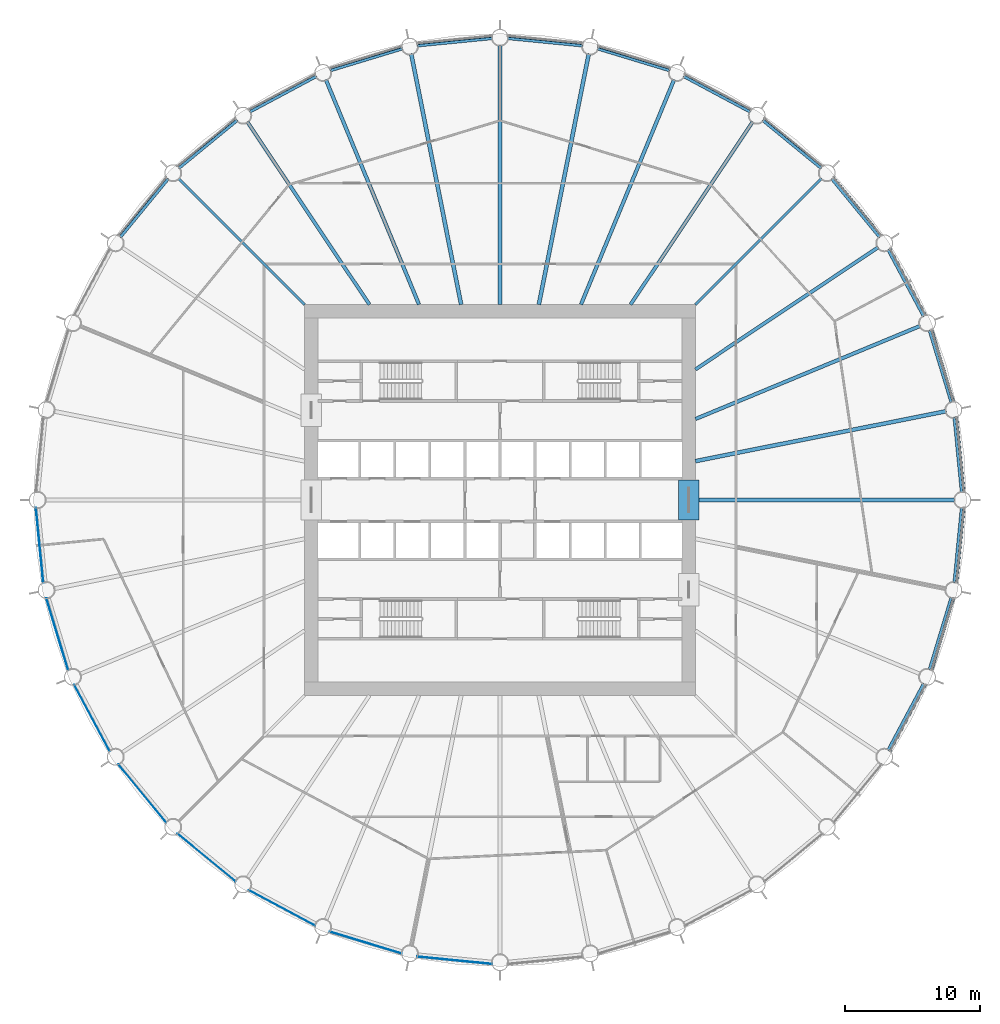
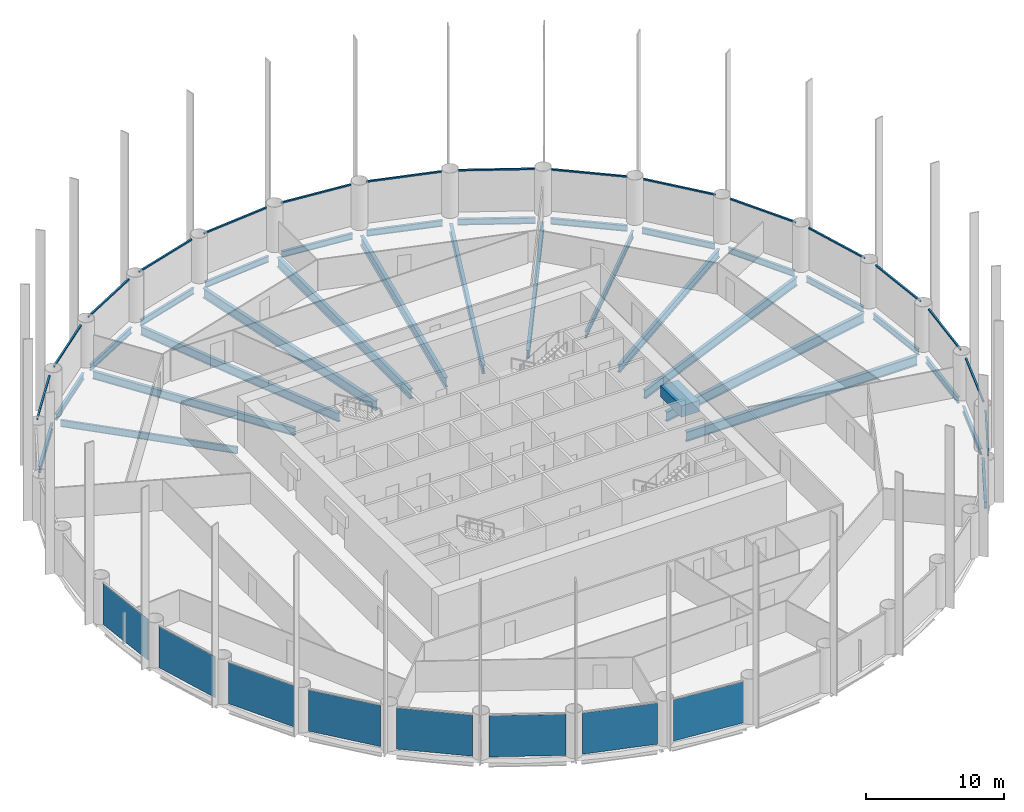
# One storey, part 2 of 10: 30 beams, 16 members, 8 plates, 24 elements without a shape of their own.
"""IFC4 building model written with IfcOpenShell, lengths in metres."""

from ifc_helpers import new_model, si_unit, direction, frame, origin, origin_2d, place, context, subcontext, project, spatial, rectangle, i_section, extrude, material, layer, layer_set, material_profile, profile_set, type_object, element, aggregate, save


model = new_model("IFC4")

# Units and contexts
model_context = context("Model", 3, precision=1e-05, world=origin(), true_north=direction((0.0, 1.0)))
body_context = subcontext(model_context, "Body", "Model", "MODEL_VIEW")
ifc_project = project(units=[si_unit("LENGTHUNIT", "METRE"), si_unit("AREAUNIT", "SQUARE_METRE"), si_unit("VOLUMEUNIT", "CUBIC_METRE"), si_unit("PLANEANGLEUNIT", "RADIAN"), si_unit("MASSUNIT", "GRAM", prefix="KILO")], contexts=[model_context])

# Site, building, storey
site_placement = place(None, origin())
site = spatial("IfcSite", under=ifc_project, at=site_placement, CompositionType="ELEMENT")
building_placement = place(site_placement, origin())
building = spatial("IfcBuilding", under=site, at=building_placement, Name="Corvane Civic Tower", CompositionType="ELEMENT")
storey_placement = place(building_placement, frame((0.0, 0.0, 90.5)))
storey = spatial("IfcBuildingStorey", under=building, at=storey_placement, Name="L20", CompositionType="ELEMENT", Elevation=90.5)

# Beams
ifc_material_1 = material(Name="Concrete C70/85", Category="concrete")
ifc_material_profile_1 = material_profile(ifc_material_1, rectangle(XDim=1.5, YDim=1.0, at=origin_2d()), Name="COUPLING BEAM 1500X1000")
ifc_profile_set_1 = profile_set([ifc_material_profile_1], Name="Concrete C70/85")
beam_type_1 = type_object("IfcBeamType", Name="COUPLING BEAM COUPLING BEAM 1500X1000", PredefinedType="BEAM", material=ifc_profile_set_1)
beam_1_placement = place(storey_placement, frame((14.0, -1.5, 2.60009765625), z_axis=(0.0, 1.0, 0.0), x_axis=(-1.0, 0.0, 0.0)))
element("IfcBeam", 1, at=beam_1_placement, inside=storey, type_object=beam_type_1, Name="BM-L20-cpl-CW-LE", PredefinedType="BEAM", context=body_context, shape_type="SweptSolid", body=[
    extrude(rectangle(XDim=1.5, YDim=1.0, at=origin_2d()), origin(), (0.0, 0.0, 1.0), 3.0),
])
ifc_material_2 = material(Name="Steel ASTM A992 Gr 50", Category="steel")
ifc_material_profile_2 = material_profile(ifc_material_2, i_section(OverallWidth=0.209228515625, OverallDepth=0.533447265625, WebThickness=0.01025390625, FlangeThickness=0.015625, at=origin_2d()), Name="W21X62")
ifc_profile_set_2 = profile_set([ifc_material_profile_2], Name="Steel ASTM A992 Gr 50")
beam_type_2 = type_object("IfcBeamType", Name="EDGE BEAM W21X62", PredefinedType="BEAM", material=ifc_profile_set_2)
beam_2_placement = place(storey_placement, frame((0.54736328125, 34.24609375, -0.716796875), z_axis=(0.995184368522, -0.098020776625, 0.0), x_axis=(0.098020776625, 0.995184368522, 0.0)))
element("IfcBeam", 2, at=beam_2_placement, inside=storey, type_object=beam_type_2, Name="BM-L20-E01", PredefinedType="BEAM", context=body_context, shape_type="SweptSolid", body=[
    extrude(i_section(OverallWidth=0.209228515625, OverallDepth=0.533447265625, WebThickness=0.01025390625, FlangeThickness=0.015625, at=origin_2d()), origin(), (0.0, 0.0, 1.0), 5.6240234375),
])
beam_3_placement = place(storey_placement, frame((7.218017578125, 33.481201171875, -0.716796875), z_axis=(0.956936367498, -0.290297758448, 0.0), x_axis=(0.290297758448, 0.956936367498, 0.0)))
element("IfcBeam", 3, at=beam_3_placement, inside=storey, type_object=beam_type_2, Name="BM-L20-E02", PredefinedType="BEAM", context=body_context, shape_type="SweptSolid", body=[
    extrude(i_section(OverallWidth=0.209228515625, OverallDepth=0.533447265625, WebThickness=0.01025390625, FlangeThickness=0.015625, at=origin_2d()), origin(), (0.0, 0.0, 1.0), 5.623779296875),
])
for number, where, z_axis, x_axis, name in (
    (4, (13.611083984375, 31.4296875, -0.716796875), (0.88192357867, -0.471392407008, 0.0), (0.471392407008, 0.88192357867, 0.0), "BM-L20-E03"),
    (5, (19.481201171875, 28.17041015625, -0.716796875), (0.773006775372, -0.634397765782, 0.0), (0.634397765782, 0.773006775372, 0.0), "BM-L20-E04"),
    (6, (24.6025390625, 23.82861328125, -0.716796875), (0.634397765782, -0.773006775372, 0.0), (0.773006775372, 0.634397765782, 0.0), "BM-L20-E05"),
    (7, (28.778564453125, 18.571044921875, -0.716796875), (0.471392407008, -0.88192357867, 0.0), (0.88192357867, 0.471392407008, 0.0), "BM-L20-E06"),
):
    element("IfcBeam", number, at=place(storey_placement, frame(where, z_axis=z_axis, x_axis=x_axis)), inside=storey, type_object=beam_type_2, Name=name, PredefinedType="BEAM", context=body_context, shape_type="SweptSolid", body=[
        extrude(i_section(OverallWidth=0.209228515625, OverallDepth=0.533447265625, WebThickness=0.01025390625, FlangeThickness=0.015625, at=origin_2d()), origin(), (0.0, 0.0, 1.0), 5.6240234375),
    ])
beam_4_placement = place(storey_placement, frame((31.8486328125, 12.599609375, -0.716796875), z_axis=(0.290297758448, -0.956936367498, 0.0), x_axis=(0.956936367498, 0.290297758448, 0.0)))
element("IfcBeam", 8, at=beam_4_placement, inside=storey, type_object=beam_type_2, Name="BM-L20-E07", PredefinedType="BEAM", context=body_context, shape_type="SweptSolid", body=[
    extrude(i_section(OverallWidth=0.209228515625, OverallDepth=0.533447265625, WebThickness=0.01025390625, FlangeThickness=0.015625, at=origin_2d()), origin(), (0.0, 0.0, 1.0), 5.623779296875),
])
for number, where, z_axis, x_axis, name in (
    (9, (33.69482421875, 6.144287109375, -0.716796875), (0.098020776625, -0.995184368522, 0.0), (0.995184368522, 0.098020776625, 0.0), "BM-L20-E08"),
    (10, (34.24609375, -0.54736328125, -0.716796875), (-0.098020776625, -0.995184368522, 0.0), (0.995184368522, -0.098020776625, 0.0), "BM-L20-E09"),
):
    element("IfcBeam", number, at=place(storey_placement, frame(where, z_axis=z_axis, x_axis=x_axis)), inside=storey, type_object=beam_type_2, Name=name, PredefinedType="BEAM", context=body_context, shape_type="SweptSolid", body=[
        extrude(i_section(OverallWidth=0.209228515625, OverallDepth=0.533447265625, WebThickness=0.01025390625, FlangeThickness=0.015625, at=origin_2d()), origin(), (0.0, 0.0, 1.0), 5.6240234375),
    ])
beam_5_placement = place(storey_placement, frame((33.481201171875, -7.218017578125, -0.716796875), z_axis=(-0.290297758448, -0.956936367498, 0.0), x_axis=(0.956936367498, -0.290297758448, 0.0)))
element("IfcBeam", 11, at=beam_5_placement, inside=storey, type_object=beam_type_2, Name="BM-L20-E10", PredefinedType="BEAM", context=body_context, shape_type="SweptSolid", body=[
    extrude(i_section(OverallWidth=0.209228515625, OverallDepth=0.533447265625, WebThickness=0.01025390625, FlangeThickness=0.015625, at=origin_2d()), origin(), (0.0, 0.0, 1.0), 5.623779296875),
])
for number, where, z_axis, x_axis, name in (
    (12, (31.4296875, -13.611083984375, -0.716796875), (-0.471392407008, -0.88192357867, 0.0), (0.88192357867, -0.471392407008, 0.0), "BM-L20-E11"),
    (13, (-28.17041015625, 19.481201171875, -0.716796875), (0.634397765782, 0.773006775372, 0.0), (-0.773006775372, 0.634397765782, 0.0), "BM-L20-E28"),
    (14, (-23.82861328125, 24.6025390625, -0.716796875), (0.773006775372, 0.634397765782, 0.0), (-0.634397765782, 0.773006775372, 0.0), "BM-L20-E29"),
    (15, (-18.571044921875, 28.778564453125, -0.716796875), (0.88192357867, 0.471392407008, 0.0), (-0.471392407008, 0.88192357867, 0.0), "BM-L20-E30"),
):
    element("IfcBeam", number, at=place(storey_placement, frame(where, z_axis=z_axis, x_axis=x_axis)), inside=storey, type_object=beam_type_2, Name=name, PredefinedType="BEAM", context=body_context, shape_type="SweptSolid", body=[
        extrude(i_section(OverallWidth=0.209228515625, OverallDepth=0.533447265625, WebThickness=0.01025390625, FlangeThickness=0.015625, at=origin_2d()), origin(), (0.0, 0.0, 1.0), 5.6240234375),
    ])
beam_6_placement = place(storey_placement, frame((-12.599609375, 31.8486328125, -0.716796875), z_axis=(0.956936367498, 0.290297758448, 0.0), x_axis=(-0.290297758448, 0.956936367498, 0.0)))
element("IfcBeam", 16, at=beam_6_placement, inside=storey, type_object=beam_type_2, Name="BM-L20-E31", PredefinedType="BEAM", context=body_context, shape_type="SweptSolid", body=[
    extrude(i_section(OverallWidth=0.209228515625, OverallDepth=0.533447265625, WebThickness=0.01025390625, FlangeThickness=0.015625, at=origin_2d()), origin(), (0.0, 0.0, 1.0), 5.623779296875),
])
beam_7_placement = place(storey_placement, frame((-6.144287109375, 33.69482421875, -0.716796875), z_axis=(0.995184368522, 0.098020776625, 0.0), x_axis=(-0.098020776625, 0.995184368522, 0.0)))
element("IfcBeam", 17, at=beam_7_placement, inside=storey, type_object=beam_type_2, Name="BM-L20-E32", PredefinedType="BEAM", context=body_context, shape_type="SweptSolid", body=[
    extrude(i_section(OverallWidth=0.209228515625, OverallDepth=0.533447265625, WebThickness=0.01025390625, FlangeThickness=0.015625, at=origin_2d()), origin(), (0.0, 0.0, 1.0), 5.6240234375),
])
ifc_material_3 = material(Name="Steel ASTM A992 Gr 50", Category="steel")
ifc_material_profile_3 = material_profile(ifc_material_3, i_section(OverallWidth=0.177978515625, OverallDepth=0.599365234375, WebThickness=0.010009765625, FlangeThickness=0.012939453125, at=origin_2d()), Name="W24X55")
ifc_profile_set_3 = profile_set([ifc_material_profile_3], Name="Steel ASTM A992 Gr 50")
beam_type_3 = type_object("IfcBeamType", Name="FLOOR GIRDER W24X55", PredefinedType="BEAM", material=ifc_profile_set_3)
for number, where, z_axis, x_axis, name in (
    (18, (14.5, 14.5, -0.749755859375), (0.707106781187, 0.707106781187, 0.0), (-0.707106781187, 0.707106781187, 0.0), "BM-L20-G05"),
    (19, (-14.5, 14.5, -0.749755859375), (-0.707106781187, 0.707106781187, 0.0), (-0.707106781187, -0.707106781187, 0.0), "BM-L20-G29"),
):
    element("IfcBeam", number, at=place(storey_placement, frame(where, z_axis=z_axis, x_axis=x_axis)), inside=storey, type_object=beam_type_3, Name=name, PredefinedType="BEAM", context=body_context, shape_type="SweptSolid", body=[
        extrude(i_section(OverallWidth=0.177978515625, OverallDepth=0.599365234375, WebThickness=0.010009765625, FlangeThickness=0.012939453125, at=origin_2d()), origin(), (0.0, 0.0, 1.0), 13.24365234375),
    ])
ifc_material_4 = material(Name="Steel ASTM A992 Gr 50", Category="steel")
ifc_material_profile_4 = material_profile(ifc_material_4, i_section(OverallWidth=0.256591796875, OverallDepth=0.693359375, WebThickness=0.014404296875, FlangeThickness=0.023681640625, at=origin_2d()), Name="W27X114")
ifc_profile_set_4 = profile_set([ifc_material_profile_4], Name="Steel ASTM A992 Gr 50")
beam_type_4 = type_object("IfcBeamType", Name="FLOOR GIRDER W27X114", PredefinedType="BEAM", material=ifc_profile_set_4)
for number, where, z_axis, x_axis, name in (
    (20, (9.6884765625, 14.5, -0.796630859375), (0.555577235054, 0.83146493365, 0.0), (-0.83146493365, 0.555577235054, 0.0), "BM-L20-G04"),
    (21, (14.5, 9.6884765625, -0.796630859375), (0.83146493365, 0.555577235054, 0.0), (-0.555577235054, 0.83146493365, 0.0), "BM-L20-G06"),
    (22, (-9.6884765625, 14.5, -0.796630859375), (-0.555577235054, 0.83146493365, 0.0), (-0.83146493365, -0.555577235054, 0.0), "BM-L20-G30"),
):
    element("IfcBeam", number, at=place(storey_placement, frame(where, z_axis=z_axis, x_axis=x_axis)), inside=storey, type_object=beam_type_4, Name=name, PredefinedType="BEAM", context=body_context, shape_type="SweptSolid", body=[
        extrude(i_section(OverallWidth=0.256591796875, OverallDepth=0.693359375, WebThickness=0.014404296875, FlangeThickness=0.023681640625, at=origin_2d()), origin(), (0.0, 0.0, 1.0), 16.31103515625),
    ])
ifc_material_5 = material(Name="Steel ASTM A992 Gr 50", Category="steel")
ifc_material_profile_5 = material_profile(ifc_material_5, i_section(OverallWidth=0.2666015625, OverallDepth=0.7568359375, WebThickness=0.013916015625, FlangeThickness=0.019287109375, at=origin_2d()), Name="W30X108")
ifc_profile_set_5 = profile_set([ifc_material_profile_5], Name="Steel ASTM A992 Gr 50")
beam_type_5 = type_object("IfcBeamType", Name="FLOOR GIRDER W30X108", PredefinedType="BEAM", material=ifc_profile_set_5)
for number, where, z_axis, x_axis, name in (
    (23, (6.006103515625, 14.5, -0.828369140625), (0.382681797504, 0.923880209691, 0.0), (-0.923880209691, 0.382681797504, 0.0), "BM-L20-G03"),
    (24, (14.5, 6.006103515625, -0.828369140625), (0.923880209691, 0.382681797504, 0.0), (-0.382681797504, 0.923880209691, 0.0), "BM-L20-G07"),
    (25, (-6.006103515625, 14.5, -0.828369140625), (-0.382681797504, 0.923880209691, 0.0), (-0.923880209691, -0.382681797504, 0.0), "BM-L20-G31"),
):
    element("IfcBeam", number, at=place(storey_placement, frame(where, z_axis=z_axis, x_axis=x_axis)), inside=storey, type_object=beam_type_5, Name=name, PredefinedType="BEAM", context=body_context, shape_type="SweptSolid", body=[
        extrude(i_section(OverallWidth=0.2666015625, OverallDepth=0.7568359375, WebThickness=0.013916015625, FlangeThickness=0.019287109375, at=origin_2d()), origin(), (0.0, 0.0, 1.0), 18.05517578125),
    ])
ifc_material_6 = material(Name="Steel ASTM A992 Gr 50", Category="steel")
ifc_material_profile_6 = material_profile(ifc_material_6, i_section(OverallWidth=0.2919921875, OverallDepth=0.8583984375, WebThickness=0.01708984375, FlangeThickness=0.031005859375, at=origin_2d()), Name="W33X169")
ifc_profile_set_6 = profile_set([ifc_material_profile_6], Name="Steel ASTM A992 Gr 50")
beam_type_6 = type_object("IfcBeamType", Name="FLOOR GIRDER W33X169", PredefinedType="BEAM", material=ifc_profile_set_6)
beam_8_placement = place(storey_placement, frame((0.0, 14.5, -0.879150390625), z_axis=(0.0, 1.0, 0.0), x_axis=(-1.0, 0.0, 0.0)))
element("IfcBeam", 26, at=beam_8_placement, inside=storey, type_object=beam_type_6, Name="BM-L20-G01", PredefinedType="BEAM", context=body_context, shape_type="SweptSolid", body=[
    extrude(i_section(OverallWidth=0.2919921875, OverallDepth=0.8583984375, WebThickness=0.01708984375, FlangeThickness=0.031005859375, at=origin_2d()), origin(), (0.0, 0.0, 1.0), 19.25),
])
for number, where, z_axis, x_axis, name in (
    (27, (2.88427734375, 14.5, -0.879150390625), (0.195083745652, 0.9807865885, 0.0), (-0.9807865885, 0.195083745652, 0.0), "BM-L20-G02"),
    (28, (14.5, 2.88427734375, -0.879150390625), (0.9807865885, 0.195083745652, 0.0), (-0.195083745652, 0.9807865885, 0.0), "BM-L20-G08"),
):
    element("IfcBeam", number, at=place(storey_placement, frame(where, z_axis=z_axis, x_axis=x_axis)), inside=storey, type_object=beam_type_6, Name=name, PredefinedType="BEAM", context=body_context, shape_type="SweptSolid", body=[
        extrude(i_section(OverallWidth=0.2919921875, OverallDepth=0.8583984375, WebThickness=0.01708984375, FlangeThickness=0.031005859375, at=origin_2d()), origin(), (0.0, 0.0, 1.0), 18.966064453125),
    ])
beam_9_placement = place(storey_placement, frame((14.5, 0.0, -0.879150390625), z_axis=(1.0, 0.0, 0.0), x_axis=(0.0, 1.0, 0.0)))
element("IfcBeam", 29, at=beam_9_placement, inside=storey, type_object=beam_type_6, Name="BM-L20-G09", PredefinedType="BEAM", context=body_context, shape_type="SweptSolid", body=[
    extrude(i_section(OverallWidth=0.2919921875, OverallDepth=0.8583984375, WebThickness=0.01708984375, FlangeThickness=0.031005859375, at=origin_2d()), origin(), (0.0, 0.0, 1.0), 19.25),
])
beam_10_placement = place(storey_placement, frame((-2.88427734375, 14.5, -0.879150390625), z_axis=(-0.195083745652, 0.9807865885, 0.0), x_axis=(-0.9807865885, -0.195083745652, 0.0)))
element("IfcBeam", 30, at=beam_10_placement, inside=storey, type_object=beam_type_6, Name="BM-L20-G32", PredefinedType="BEAM", context=body_context, shape_type="SweptSolid", body=[
    extrude(i_section(OverallWidth=0.2919921875, OverallDepth=0.8583984375, WebThickness=0.01708984375, FlangeThickness=0.031005859375, at=origin_2d()), origin(), (0.0, 0.0, 1.0), 18.966064453125),
])

# Curtain wall, member
ifc_material_7 = material(Name="Anodised aluminium bronze", Category="aluminium")
curtain_wall_type = type_object("IfcCurtainWallType", Name="TOWER CW-T1 STICK CURTAIN WALL", PredefinedType="NOTDEFINED", material=ifc_material_7)
curtain_wall_1_placement = place(storey_placement, origin())
curtain_wall_1 = element("IfcCurtainWall", 31, at=curtain_wall_1_placement, inside=storey, type_object=curtain_wall_type, Name="Curtain wall CW-T1 L20 bay 01", PredefinedType="NOTDEFINED")
ifc_material_8 = material(Name="Anodised aluminium bronze", Category="aluminium")
ifc_material_profile_7 = material_profile(ifc_material_8, rectangle(XDim=0.139892578125, YDim=0.1201171875, at=origin_2d()), Name="TOWER CW-T1 TRANSOM 140x120")
ifc_profile_set_7 = profile_set([ifc_material_profile_7], Name="Anodised aluminium bronze")
member_type = type_object("IfcMemberType", Name="TOWER CW-T1 TRANSOM 140x120", PredefinedType="USERDEFINED", material=ifc_profile_set_7)
member_1_placement = place(storey_placement, frame((0.58349609375, 34.422607421875, 3.68994140625), z_axis=(0.995179807033, -0.098067077419, 0.0), x_axis=(0.098067077419, 0.995179807033, 0.0)))
member_1 = element("IfcMember", 32, at=member_1_placement, type_object=member_type, Name="Transom CW-T1 L20 01.1", ObjectType="TRANSOM", PredefinedType="USERDEFINED", context=body_context, shape_type="SweptSolid", body=[
    extrude(rectangle(XDim=0.139892578125, YDim=0.1201171875, at=origin_2d()), origin(), (0.0, 0.0, 1.0), 5.58642578125),
])
aggregate(curtain_wall_1, [member_1])

curtain_wall_2_placement = place(storey_placement, origin())
curtain_wall_2 = element("IfcCurtainWall", 33, at=curtain_wall_2_placement, inside=storey, type_object=curtain_wall_type, Name="Curtain wall CW-T1 L20 bay 02", PredefinedType="NOTDEFINED")
member_2_placement = place(storey_placement, frame((7.287841796875, 33.647216796875, 3.68994140625), z_axis=(0.956944977029, -0.290269376509, 0.0), x_axis=(0.290269376509, 0.956944977029, 0.0)))
member_2 = element("IfcMember", 34, at=member_2_placement, type_object=member_type, Name="Transom CW-T1 L20 02.1", ObjectType="TRANSOM", PredefinedType="USERDEFINED", context=body_context, shape_type="SweptSolid", body=[
    extrude(rectangle(XDim=0.139892578125, YDim=0.1201171875, at=origin_2d()), origin(), (0.0, 0.0, 1.0), 5.58642578125),
])
aggregate(curtain_wall_2, [member_2])

curtain_wall_3_placement = place(storey_placement, origin())
curtain_wall_3 = element("IfcCurtainWall", 35, at=curtain_wall_3_placement, inside=storey, type_object=curtain_wall_type, Name="Curtain wall CW-T1 L20 bay 03", PredefinedType="NOTDEFINED")
member_3_placement = place(storey_placement, frame((13.712158203125, 31.5791015625, 3.68994140625), z_axis=(0.881920705407, -0.47139778253, 0.0), x_axis=(0.47139778253, 0.881920705407, 0.0)))
member_3 = element("IfcMember", 36, at=member_3_placement, type_object=member_type, Name="Transom CW-T1 L20 03.1", ObjectType="TRANSOM", PredefinedType="USERDEFINED", context=body_context, shape_type="SweptSolid", body=[
    extrude(rectangle(XDim=0.139892578125, YDim=0.1201171875, at=origin_2d()), origin(), (0.0, 0.0, 1.0), 5.586669921875),
])
aggregate(curtain_wall_3, [member_3])

curtain_wall_4_placement = place(storey_placement, origin())
curtain_wall_4 = element("IfcCurtainWall", 37, at=curtain_wall_4_placement, inside=storey, type_object=curtain_wall_type, Name="Curtain wall CW-T1 L20 bay 04", PredefinedType="NOTDEFINED")
member_4_placement = place(storey_placement, frame((19.609619140625, 28.297119140625, 3.68994140625), z_axis=(0.772996431642, -0.634410369295, 0.0), x_axis=(0.634410369295, 0.772996431642, 0.0)))
member_4 = element("IfcMember", 38, at=member_4_placement, type_object=member_type, Name="Transom CW-T1 L20 04.1", ObjectType="TRANSOM", PredefinedType="USERDEFINED", context=body_context, shape_type="SweptSolid", body=[
    extrude(rectangle(XDim=0.139892578125, YDim=0.1201171875, at=origin_2d()), origin(), (0.0, 0.0, 1.0), 5.586181640625),
])
aggregate(curtain_wall_4, [member_4])

curtain_wall_5_placement = place(storey_placement, origin())
curtain_wall_5 = element("IfcCurtainWall", 39, at=curtain_wall_5_placement, inside=storey, type_object=curtain_wall_type, Name="Curtain wall CW-T1 L20 bay 05", PredefinedType="NOTDEFINED")
member_5_placement = place(storey_placement, frame((24.753173828125, 23.927734375, 3.68994140625), z_axis=(0.634410369295, -0.772996431642, 0.0), x_axis=(0.772996431642, 0.634410369295, 0.0)))
member_5 = element("IfcMember", 40, at=member_5_placement, type_object=member_type, Name="Transom CW-T1 L20 05.1", ObjectType="TRANSOM", PredefinedType="USERDEFINED", context=body_context, shape_type="SweptSolid", body=[
    extrude(rectangle(XDim=0.139892578125, YDim=0.1201171875, at=origin_2d()), origin(), (0.0, 0.0, 1.0), 5.586181640625),
])
aggregate(curtain_wall_5, [member_5])

curtain_wall_6_placement = place(storey_placement, origin())
curtain_wall_6 = element("IfcCurtainWall", 41, at=curtain_wall_6_placement, inside=storey, type_object=curtain_wall_type, Name="Curtain wall CW-T1 L20 bay 06", PredefinedType="NOTDEFINED")
member_6_placement = place(storey_placement, frame((28.945556640625, 18.63916015625, 3.68994140625), z_axis=(0.47139778253, -0.881920705407, 0.0), x_axis=(0.881920705407, 0.47139778253, 0.0)))
member_6 = element("IfcMember", 42, at=member_6_placement, type_object=member_type, Name="Transom CW-T1 L20 06.1", ObjectType="TRANSOM", PredefinedType="USERDEFINED", context=body_context, shape_type="SweptSolid", body=[
    extrude(rectangle(XDim=0.139892578125, YDim=0.1201171875, at=origin_2d()), origin(), (0.0, 0.0, 1.0), 5.586669921875),
])
aggregate(curtain_wall_6, [member_6])

curtain_wall_7_placement = place(storey_placement, origin())
curtain_wall_7 = element("IfcCurtainWall", 43, at=curtain_wall_7_placement, inside=storey, type_object=curtain_wall_type, Name="Curtain wall CW-T1 L20 bay 07", PredefinedType="NOTDEFINED")
member_7_placement = place(storey_placement, frame((32.025634765625, 12.6337890625, 3.68994140625), z_axis=(0.290269376509, -0.956944977029, 0.0), x_axis=(0.956944977029, 0.290269376509, 0.0)))
member_7 = element("IfcMember", 44, at=member_7_placement, type_object=member_type, Name="Transom CW-T1 L20 07.1", ObjectType="TRANSOM", PredefinedType="USERDEFINED", context=body_context, shape_type="SweptSolid", body=[
    extrude(rectangle(XDim=0.139892578125, YDim=0.1201171875, at=origin_2d()), origin(), (0.0, 0.0, 1.0), 5.58642578125),
])
aggregate(curtain_wall_7, [member_7])

curtain_wall_8_placement = place(storey_placement, origin())
curtain_wall_8 = element("IfcCurtainWall", 45, at=curtain_wall_8_placement, inside=storey, type_object=curtain_wall_type, Name="Curtain wall CW-T1 L20 bay 08", PredefinedType="NOTDEFINED")
member_8_placement = place(storey_placement, frame((33.874755859375, 6.14306640625, 3.68994140625), z_axis=(0.098067077419, -0.995179807033, 0.0), x_axis=(0.995179807033, 0.098067077419, 0.0)))
member_8 = element("IfcMember", 46, at=member_8_placement, type_object=member_type, Name="Transom CW-T1 L20 08.1", ObjectType="TRANSOM", PredefinedType="USERDEFINED", context=body_context, shape_type="SweptSolid", body=[
    extrude(rectangle(XDim=0.139892578125, YDim=0.1201171875, at=origin_2d()), origin(), (0.0, 0.0, 1.0), 5.58642578125),
])
aggregate(curtain_wall_8, [member_8])

curtain_wall_9_placement = place(storey_placement, origin())
curtain_wall_9 = element("IfcCurtainWall", 47, at=curtain_wall_9_placement, inside=storey, type_object=curtain_wall_type, Name="Curtain wall CW-T1 L20 bay 09", PredefinedType="NOTDEFINED")
member_9_placement = place(storey_placement, frame((34.422607421875, -0.58349609375, 3.68994140625), z_axis=(-0.098067077419, -0.995179807033, 0.0), x_axis=(0.995179807033, -0.098067077419, 0.0)))
member_9 = element("IfcMember", 48, at=member_9_placement, type_object=member_type, Name="Transom CW-T1 L20 09.1", ObjectType="TRANSOM", PredefinedType="USERDEFINED", context=body_context, shape_type="SweptSolid", body=[
    extrude(rectangle(XDim=0.139892578125, YDim=0.1201171875, at=origin_2d()), origin(), (0.0, 0.0, 1.0), 5.58642578125),
])
aggregate(curtain_wall_9, [member_9])

curtain_wall_10_placement = place(storey_placement, origin())
curtain_wall_10 = element("IfcCurtainWall", 49, at=curtain_wall_10_placement, inside=storey, type_object=curtain_wall_type, Name="Curtain wall CW-T1 L20 bay 10", PredefinedType="NOTDEFINED")
member_10_placement = place(storey_placement, frame((33.647216796875, -7.287841796875, 3.68994140625), z_axis=(-0.290269376509, -0.956944977029, 0.0), x_axis=(0.956944977029, -0.290269376509, 0.0)))
member_10 = element("IfcMember", 50, at=member_10_placement, type_object=member_type, Name="Transom CW-T1 L20 10.1", ObjectType="TRANSOM", PredefinedType="USERDEFINED", context=body_context, shape_type="SweptSolid", body=[
    extrude(rectangle(XDim=0.139892578125, YDim=0.1201171875, at=origin_2d()), origin(), (0.0, 0.0, 1.0), 5.58642578125),
])
aggregate(curtain_wall_10, [member_10])

curtain_wall_11_placement = place(storey_placement, origin())
curtain_wall_11 = element("IfcCurtainWall", 51, at=curtain_wall_11_placement, inside=storey, type_object=curtain_wall_type, Name="Curtain wall CW-T1 L20 bay 11", PredefinedType="NOTDEFINED")
member_11_placement = place(storey_placement, frame((31.5791015625, -13.712158203125, 3.68994140625), z_axis=(-0.47139778253, -0.881920705407, 0.0), x_axis=(0.881920705407, -0.47139778253, 0.0)))
member_11 = element("IfcMember", 52, at=member_11_placement, type_object=member_type, Name="Transom CW-T1 L20 11.1", ObjectType="TRANSOM", PredefinedType="USERDEFINED", context=body_context, shape_type="SweptSolid", body=[
    extrude(rectangle(XDim=0.139892578125, YDim=0.1201171875, at=origin_2d()), origin(), (0.0, 0.0, 1.0), 5.586669921875),
])
aggregate(curtain_wall_11, [member_11])

curtain_wall_12_placement = place(storey_placement, origin())
curtain_wall_12 = element("IfcCurtainWall", 53, at=curtain_wall_12_placement, inside=storey, type_object=curtain_wall_type, Name="Curtain wall CW-T1 L20 bay 28", PredefinedType="NOTDEFINED")
member_12_placement = place(storey_placement, frame((-28.297119140625, 19.609619140625, 3.68994140625), z_axis=(0.634410369295, 0.772996431642, 0.0), x_axis=(-0.772996431642, 0.634410369295, 0.0)))
member_12 = element("IfcMember", 54, at=member_12_placement, type_object=member_type, Name="Transom CW-T1 L20 28.1", ObjectType="TRANSOM", PredefinedType="USERDEFINED", context=body_context, shape_type="SweptSolid", body=[
    extrude(rectangle(XDim=0.139892578125, YDim=0.1201171875, at=origin_2d()), origin(), (0.0, 0.0, 1.0), 5.586181640625),
])
aggregate(curtain_wall_12, [member_12])

curtain_wall_13_placement = place(storey_placement, origin())
curtain_wall_13 = element("IfcCurtainWall", 55, at=curtain_wall_13_placement, inside=storey, type_object=curtain_wall_type, Name="Curtain wall CW-T1 L20 bay 29", PredefinedType="NOTDEFINED")
member_13_placement = place(storey_placement, frame((-23.927734375, 24.753173828125, 3.68994140625), z_axis=(0.772996431642, 0.634410369295, 0.0), x_axis=(-0.634410369295, 0.772996431642, 0.0)))
member_13 = element("IfcMember", 56, at=member_13_placement, type_object=member_type, Name="Transom CW-T1 L20 29.1", ObjectType="TRANSOM", PredefinedType="USERDEFINED", context=body_context, shape_type="SweptSolid", body=[
    extrude(rectangle(XDim=0.139892578125, YDim=0.1201171875, at=origin_2d()), origin(), (0.0, 0.0, 1.0), 5.586181640625),
])
aggregate(curtain_wall_13, [member_13])

curtain_wall_14_placement = place(storey_placement, origin())
curtain_wall_14 = element("IfcCurtainWall", 57, at=curtain_wall_14_placement, inside=storey, type_object=curtain_wall_type, Name="Curtain wall CW-T1 L20 bay 30", PredefinedType="NOTDEFINED")
member_14_placement = place(storey_placement, frame((-18.63916015625, 28.945556640625, 3.68994140625), z_axis=(0.881920705407, 0.47139778253, 0.0), x_axis=(-0.47139778253, 0.881920705407, 0.0)))
member_14 = element("IfcMember", 58, at=member_14_placement, type_object=member_type, Name="Transom CW-T1 L20 30.1", ObjectType="TRANSOM", PredefinedType="USERDEFINED", context=body_context, shape_type="SweptSolid", body=[
    extrude(rectangle(XDim=0.139892578125, YDim=0.1201171875, at=origin_2d()), origin(), (0.0, 0.0, 1.0), 5.586669921875),
])
aggregate(curtain_wall_14, [member_14])

curtain_wall_15_placement = place(storey_placement, origin())
curtain_wall_15 = element("IfcCurtainWall", 59, at=curtain_wall_15_placement, inside=storey, type_object=curtain_wall_type, Name="Curtain wall CW-T1 L20 bay 31", PredefinedType="NOTDEFINED")
member_15_placement = place(storey_placement, frame((-12.6337890625, 32.025634765625, 3.68994140625), z_axis=(0.956944977029, 0.290269376509, 0.0), x_axis=(-0.290269376509, 0.956944977029, 0.0)))
member_15 = element("IfcMember", 60, at=member_15_placement, type_object=member_type, Name="Transom CW-T1 L20 31.1", ObjectType="TRANSOM", PredefinedType="USERDEFINED", context=body_context, shape_type="SweptSolid", body=[
    extrude(rectangle(XDim=0.139892578125, YDim=0.1201171875, at=origin_2d()), origin(), (0.0, 0.0, 1.0), 5.58642578125),
])
aggregate(curtain_wall_15, [member_15])

curtain_wall_16_placement = place(storey_placement, origin())
curtain_wall_16 = element("IfcCurtainWall", 61, at=curtain_wall_16_placement, inside=storey, type_object=curtain_wall_type, Name="Curtain wall CW-T1 L20 bay 32", PredefinedType="NOTDEFINED")
member_16_placement = place(storey_placement, frame((-6.14306640625, 33.874755859375, 3.68994140625), z_axis=(0.995179807033, 0.098067077419, 0.0), x_axis=(-0.098067077419, 0.995179807033, 0.0)))
member_16 = element("IfcMember", 62, at=member_16_placement, type_object=member_type, Name="Transom CW-T1 L20 32.1", ObjectType="TRANSOM", PredefinedType="USERDEFINED", context=body_context, shape_type="SweptSolid", body=[
    extrude(rectangle(XDim=0.139892578125, YDim=0.1201171875, at=origin_2d()), origin(), (0.0, 0.0, 1.0), 5.58642578125),
])
aggregate(curtain_wall_16, [member_16])

# Curtain wall, plate
curtain_wall_17_placement = place(storey_placement, origin())
curtain_wall_17 = element("IfcCurtainWall", 63, at=curtain_wall_17_placement, inside=storey, type_object=curtain_wall_type, Name="Curtain wall CW-T1 L20 bay 17", PredefinedType="NOTDEFINED")
ifc_material_9 = material(Name="Tinted glass", Category="glass")
ifc_layer = layer(ifc_material_9, 0.035888671875)
ifc_layer_set = layer_set([ifc_layer], Name="Tinted glass")
plate_type = type_object("IfcPlateType", Name="TOWER CW-T1 PANEL IGU36", PredefinedType="CURTAIN_PANEL", material=ifc_layer_set)
plate_1_placement = place(storey_placement, frame((-3.36328125, -34.148681640625, 0.0), z_axis=(0.0, 0.0, 1.0), x_axis=(-0.995183788169, 0.098026668644, 0.0)))
plate_1 = element("IfcPlate", 64, at=plate_1_placement, type_object=plate_type, Name="Glass panel CW-T1 L20 17.1", PredefinedType="CURTAIN_PANEL", context=body_context, shape_type="SweptSolid", body=[
    extrude(rectangle(XDim=5.58642578125, YDim=0.035888671875, at=origin_2d()), origin(), (0.0, 0.0, 1.0), 3.6298828125),
])
aggregate(curtain_wall_17, [plate_1])

curtain_wall_18_placement = place(storey_placement, origin())
curtain_wall_18 = element("IfcCurtainWall", 65, at=curtain_wall_18_placement, inside=storey, type_object=curtain_wall_type, Name="Curtain wall CW-T1 L20 bay 18", PredefinedType="NOTDEFINED")
plate_2_placement = place(storey_placement, frame((-9.9609375, -32.83642578125, 0.0), z_axis=(0.0, 0.0, 1.0), x_axis=(-0.956945991488, 0.290266032073, 0.0)))
plate_2 = element("IfcPlate", 66, at=plate_2_placement, type_object=plate_type, Name="Glass panel CW-T1 L20 18.1", PredefinedType="CURTAIN_PANEL", context=body_context, shape_type="SweptSolid", body=[
    extrude(rectangle(XDim=5.58642578125, YDim=0.035888671875, at=origin_2d()), origin(), (0.0, 0.0, 1.0), 3.6298828125),
])
aggregate(curtain_wall_18, [plate_2])

curtain_wall_19_placement = place(storey_placement, origin())
curtain_wall_19 = element("IfcCurtainWall", 67, at=curtain_wall_19_placement, inside=storey, type_object=curtain_wall_type, Name="Curtain wall CW-T1 L20 bay 19", PredefinedType="NOTDEFINED")
plate_3_placement = place(storey_placement, frame((-16.175537109375, -30.26220703125, 0.0), z_axis=(0.0, 0.0, 1.0), x_axis=(-0.881923642976, 0.471392286699, 0.0)))
plate_3 = element("IfcPlate", 68, at=plate_3_placement, type_object=plate_type, Name="Glass panel CW-T1 L20 19.1", PredefinedType="CURTAIN_PANEL", context=body_context, shape_type="SweptSolid", body=[
    extrude(rectangle(XDim=5.586669921875, YDim=0.035888671875, at=origin_2d()), origin(), (0.0, 0.0, 1.0), 3.6298828125),
])
aggregate(curtain_wall_19, [plate_3])

curtain_wall_20_placement = place(storey_placement, origin())
curtain_wall_20 = element("IfcCurtainWall", 69, at=curtain_wall_20_placement, inside=storey, type_object=curtain_wall_type, Name="Curtain wall CW-T1 L20 bay 20", PredefinedType="NOTDEFINED")
plate_4_placement = place(storey_placement, frame((-21.7685546875, -26.525146484375, 0.0), z_axis=(0.0, 0.0, 1.0), x_axis=(-0.773013419843, 0.63438966948, 0.0)))
plate_4 = element("IfcPlate", 70, at=plate_4_placement, type_object=plate_type, Name="Glass panel CW-T1 L20 20.1", PredefinedType="CURTAIN_PANEL", context=body_context, shape_type="SweptSolid", body=[
    extrude(rectangle(XDim=5.58642578125, YDim=0.035888671875, at=origin_2d()), origin(), (0.0, 0.0, 1.0), 3.6298828125),
])
aggregate(curtain_wall_20, [plate_4])

curtain_wall_21_placement = place(storey_placement, origin())
curtain_wall_21 = element("IfcCurtainWall", 71, at=curtain_wall_21_placement, inside=storey, type_object=curtain_wall_type, Name="Curtain wall CW-T1 L20 bay 21", PredefinedType="NOTDEFINED")
plate_5_placement = place(storey_placement, frame((-26.525146484375, -21.7685546875, 0.0), z_axis=(0.0, 0.0, 1.0), x_axis=(-0.63438966948, 0.773013419843, 0.0)))
plate_5 = element("IfcPlate", 72, at=plate_5_placement, type_object=plate_type, Name="Glass panel CW-T1 L20 21.1", PredefinedType="CURTAIN_PANEL", context=body_context, shape_type="SweptSolid", body=[
    extrude(rectangle(XDim=5.58642578125, YDim=0.035888671875, at=origin_2d()), origin(), (0.0, 0.0, 1.0), 3.6298828125),
])
aggregate(curtain_wall_21, [plate_5])

curtain_wall_22_placement = place(storey_placement, origin())
curtain_wall_22 = element("IfcCurtainWall", 73, at=curtain_wall_22_placement, inside=storey, type_object=curtain_wall_type, Name="Curtain wall CW-T1 L20 bay 22", PredefinedType="NOTDEFINED")
plate_6_placement = place(storey_placement, frame((-30.26220703125, -16.175537109375, 0.0), z_axis=(0.0, 0.0, 1.0), x_axis=(-0.471392286699, 0.881923642976, 0.0)))
plate_6 = element("IfcPlate", 74, at=plate_6_placement, type_object=plate_type, Name="Glass panel CW-T1 L20 22.1", PredefinedType="CURTAIN_PANEL", context=body_context, shape_type="SweptSolid", body=[
    extrude(rectangle(XDim=5.586669921875, YDim=0.035888671875, at=origin_2d()), origin(), (0.0, 0.0, 1.0), 3.6298828125),
])
aggregate(curtain_wall_22, [plate_6])

curtain_wall_23_placement = place(storey_placement, origin())
curtain_wall_23 = element("IfcCurtainWall", 75, at=curtain_wall_23_placement, inside=storey, type_object=curtain_wall_type, Name="Curtain wall CW-T1 L20 bay 23", PredefinedType="NOTDEFINED")
plate_7_placement = place(storey_placement, frame((-32.83642578125, -9.9609375, 0.0), z_axis=(0.0, 0.0, 1.0), x_axis=(-0.290266032073, 0.956945991488, 0.0)))
plate_7 = element("IfcPlate", 76, at=plate_7_placement, type_object=plate_type, Name="Glass panel CW-T1 L20 23.1", PredefinedType="CURTAIN_PANEL", context=body_context, shape_type="SweptSolid", body=[
    extrude(rectangle(XDim=5.58642578125, YDim=0.035888671875, at=origin_2d()), origin(), (0.0, 0.0, 1.0), 3.6298828125),
])
aggregate(curtain_wall_23, [plate_7])

curtain_wall_24_placement = place(storey_placement, origin())
curtain_wall_24 = element("IfcCurtainWall", 77, at=curtain_wall_24_placement, inside=storey, type_object=curtain_wall_type, Name="Curtain wall CW-T1 L20 bay 24", PredefinedType="NOTDEFINED")
plate_8_placement = place(storey_placement, frame((-34.148681640625, -3.36328125, 0.0), z_axis=(0.0, 0.0, 1.0), x_axis=(-0.098026668644, 0.995183788169, 0.0)))
plate_8 = element("IfcPlate", 78, at=plate_8_placement, type_object=plate_type, Name="Glass panel CW-T1 L20 24.1", PredefinedType="CURTAIN_PANEL", context=body_context, shape_type="SweptSolid", body=[
    extrude(rectangle(XDim=5.58642578125, YDim=0.035888671875, at=origin_2d()), origin(), (0.0, 0.0, 1.0), 3.6298828125),
])
aggregate(curtain_wall_24, [plate_8])

save(model, "model.ifc")
